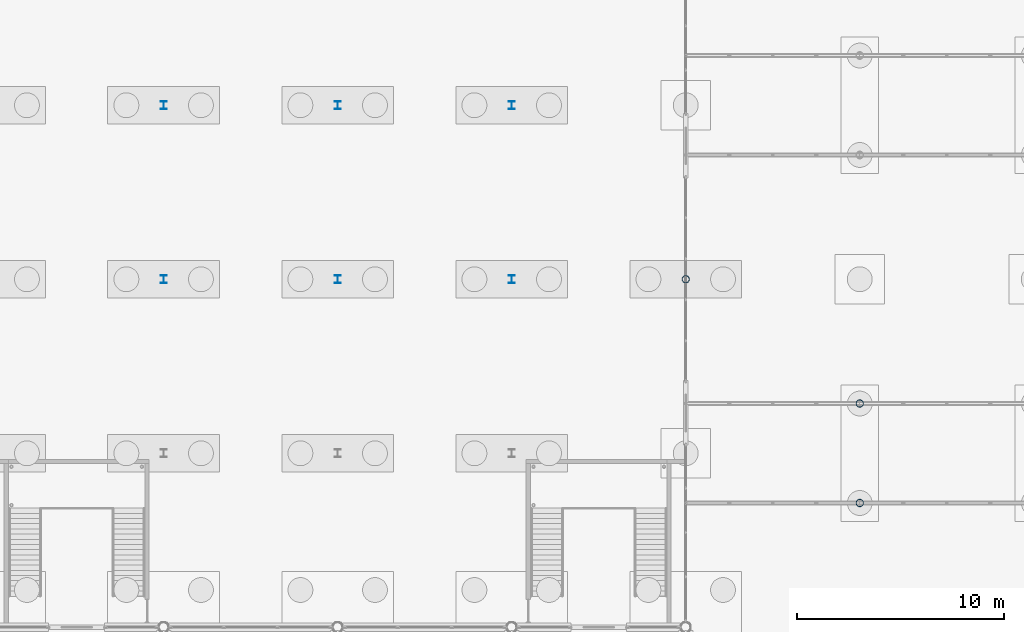
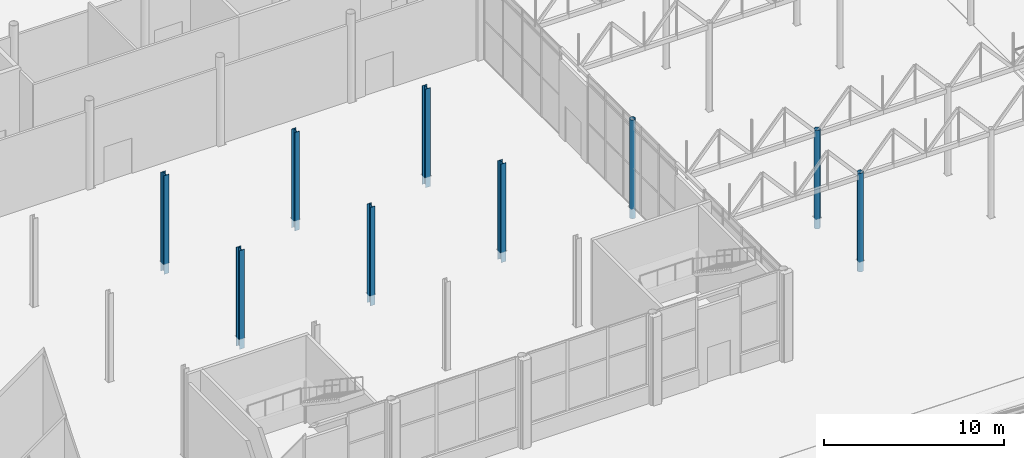
# One storey, part 18 of 212: 9 columns.
"""IFC4 building model written with IfcOpenShell, lengths in metres."""

from ifc_helpers import new_model, si_unit, direction, frame, origin, origin_2d, place, context, subcontext, project, spatial, hollow_circle, i_section, extrude, material, material_profile, profile_set, type_object, element, save


model = new_model("IFC4")

# Units and contexts
model_context = context("Model", 3, precision=1e-05, world=origin(), true_north=direction((0.0, 1.0)))
body_context = subcontext(model_context, "Body", "Model", "MODEL_VIEW")
ifc_project = project(units=[si_unit("LENGTHUNIT", "METRE"), si_unit("AREAUNIT", "SQUARE_METRE"), si_unit("VOLUMEUNIT", "CUBIC_METRE"), si_unit("PLANEANGLEUNIT", "RADIAN"), si_unit("MASSUNIT", "GRAM", prefix="KILO")], contexts=[model_context])

# Site, building, storey
site_placement = place(None, origin())
site = spatial("IfcSite", under=ifc_project, at=site_placement, CompositionType="ELEMENT")
building_placement = place(site_placement, origin())
building = spatial("IfcBuilding", under=site, at=building_placement, Name="Catenary Quay Ferry Terminal", CompositionType="ELEMENT")
storey_placement = place(building_placement, origin())
storey = spatial("IfcBuildingStorey", under=building, at=storey_placement, Name="L00", CompositionType="ELEMENT", Elevation=0.0)

# Columns
ifc_material_1 = material(Name="Steel S355", Category="steel")
ifc_material_profile_1 = material_profile(ifc_material_1, i_section(OverallWidth=0.300048828125, OverallDepth=0.39990234375, WebThickness=0.013427734375, FlangeThickness=0.02392578125, at=origin_2d()), Name="HEB 400")
ifc_profile_set_1 = profile_set([ifc_material_profile_1], Name="Steel S355")
column_type_1 = type_object("IfcColumnType", Name="C2 HEB 400", PredefinedType="COLUMN", material=ifc_profile_set_1)
for number, where, z_axis, x_axis, name in (
    (1, (67.199951171875, 84.0, -0.699951171875), (0.0, 0.0, 1.0), (1.0, 0.0, 0.0), "Column C-I11 L00"),
    (2, (67.199951171875, 92.39990234375, -0.699951171875), (0.0, 0.0, 1.0), (1.0, 0.0, 0.0), "Column C-I12 L00"),
    (3, (75.60009765625, 84.0, -0.699951171875), (0.0, 0.0, 1.0), (1.0, 0.0, 0.0), "Column C-J11 L00"),
    (4, (75.60009765625, 92.39990234375, -0.699951171875), (0.0, 0.0, 1.0), (1.0, 0.0, 0.0), "Column C-J12 L00"),
    (5, (84.0, 84.0, -0.699951171875), (0.0, 0.0, 1.0), (1.0, 0.0, 0.0), "Column C-K11 L00"),
    (6, (84.0, 92.39990234375, -0.699951171875), (0.0, 0.0, 1.0), (1.0, 0.0, 0.0), "Column C-K12 L00"),
):
    element("IfcColumn", number, at=place(storey_placement, frame(where, z_axis=z_axis, x_axis=x_axis)), inside=storey, type_object=column_type_1, Name=name, PredefinedType="COLUMN", context=body_context, shape_type="SweptSolid", body=[
        extrude(i_section(OverallWidth=0.300048828125, OverallDepth=0.39990234375, WebThickness=0.013427734375, FlangeThickness=0.02392578125, at=origin_2d()), origin(), (0.0, 0.0, 1.0), 6.699951171875),
    ])
ifc_material_2 = material(Name="Steel S355", Category="steel")
ifc_material_profile_2 = material_profile(ifc_material_2, hollow_circle(Radius=0.177734375, WallThickness=0.012451171875, at=origin_2d()), Name="CHS 355.6x12.5")
ifc_profile_set_2 = profile_set([ifc_material_profile_2], Name="Steel S355")
column_type_2 = type_object("IfcColumnType", Name="C5 CHS 355.6x12.5", PredefinedType="COLUMN", material=ifc_profile_set_2)
for number, where, z_axis, x_axis, name in (
    (7, (92.39990234375, 84.0, -0.699951171875), (0.0, 0.0, 1.0), (1.0, 0.0, 0.0), "Column C-L11 L00"),
    (8, (100.800048828125, 73.199951171875, -0.699951171875), (0.0, 0.0, 1.0), (1.0, 0.0, 0.0), "Column C-BB1SM L00"),
    (9, (100.800048828125, 78.0, -0.699951171875), (0.0, 0.0, 1.0), (1.0, 0.0, 0.0), "Column C-BB1NM L00"),
):
    element("IfcColumn", number, at=place(storey_placement, frame(where, z_axis=z_axis, x_axis=x_axis)), inside=storey, type_object=column_type_2, Name=name, PredefinedType="COLUMN", context=body_context, shape_type="SweptSolid", body=[
        extrude(hollow_circle(Radius=0.177734375, WallThickness=0.012451171875, at=origin_2d()), origin(), (0.0, 0.0, 1.0), 6.699951171875),
    ])

save(model, "model.ifc")
